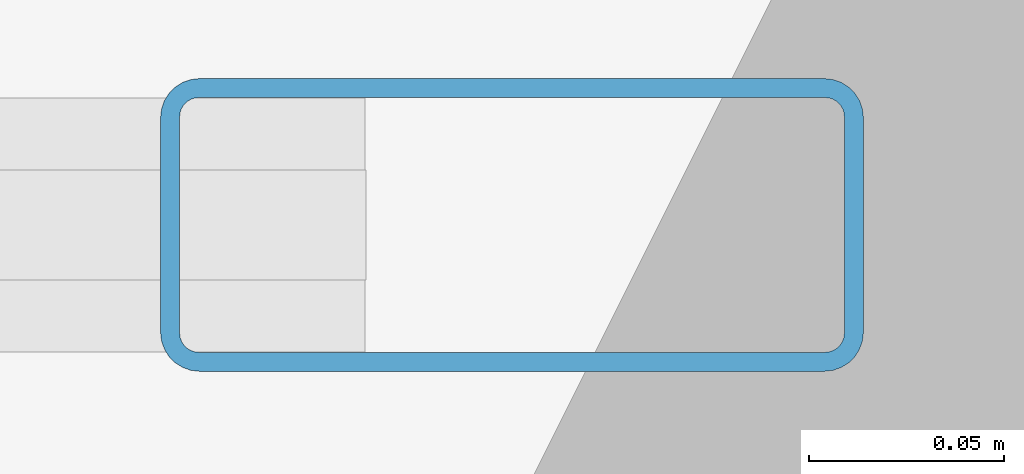
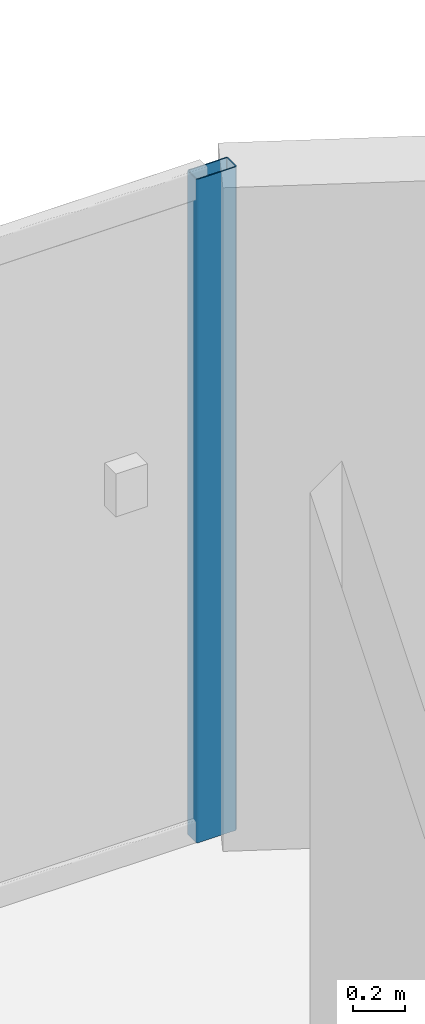
# One storey, part 8 of 19: 1 member, 1 element without a shape of its own.
"""IFC4 building model written with IfcOpenShell, lengths in metres."""

import ifcopenshell
import ifcopenshell.guid

model = None  # the IFC model being written
_history = None  # IfcOwnerHistory: only IFC2X3 demands one
_inside = {}  # id of a spatial element -> (the spatial element, [elements in it])
_under = {}  # id of a project, library or spatial element -> (it, [spatial elements below it])
_declared = {}  # id of a project -> (the project, [libraries it declares])
_typed = {}  # id of a type object -> (the type object, [elements of that type])
_made_of = {}  # id of a material, layer set ... -> (it, [elements and type objects made of it])


def new_model(schema):
    """Start an empty IFC model of exactly this schema.

    Asked for "IFC4X3", IfcOpenShell would pick the latest addendum, in which some entities
    have other attributes; the version numbers below select the first issue.
    IFC2X3 requires an IfcOwnerHistory on every rooted entity: one is made here for all.
    """
    global model, _history
    if schema == "IFC4X3":
        model = ifcopenshell.file(schema_version=(4, 3, 0, 0))
    else:
        model = ifcopenshell.file(schema=schema)
    _inside.clear()
    _under.clear()
    _declared.clear()
    _typed.clear()
    _made_of.clear()
    _history = None
    if model.schema == "IFC2X3":
        org = make("IfcOrganization", Name="unknown")
        user = make(
            "IfcPersonAndOrganization",
            ThePerson=make("IfcPerson", FamilyName="unknown"),
            TheOrganization=org,
        )
        app = make(
            "IfcApplication",
            ApplicationDeveloper=org,
            Version="unknown",
            ApplicationFullName="unknown",
            ApplicationIdentifier="unknown",
        )
        _history = make(
            "IfcOwnerHistory",
            OwningUser=user,
            OwningApplication=app,
            ChangeAction="ADDED",
            CreationDate=0,
        )
    return model


def make(cls, **values):
    """One entity of the class cls with the attributes given. An attribute that is None is left unset."""
    return model.create_entity(
        cls, **{name: value for name, value in values.items() if value is not None}
    )


def rooted(cls, **values):
    """An entity with a GlobalId (a new one), such as an element, a storey or a relation."""
    return make(cls, GlobalId=ifcopenshell.guid.new(), OwnerHistory=_history, **values)


def si_unit(unit_type, name, prefix=None):
    """IfcSIUnit, for example si_unit("LENGTHUNIT", "METRE", prefix="MILLI")."""
    return make("IfcSIUnit", UnitType=unit_type, Prefix=prefix, Name=name)


def assignment(units):
    """IfcUnitAssignment: the units of a project."""
    return None if units is None else make("IfcUnitAssignment", Units=units)


def point(xyz):
    """IfcCartesianPoint."""
    return None if xyz is None else make("IfcCartesianPoint", Coordinates=xyz)


def direction(xyz):
    """IfcDirection."""
    return None if xyz is None else make("IfcDirection", DirectionRatios=xyz)


def frame(location, z_axis=None, x_axis=None):
    """IfcAxis2Placement3D, a coordinate frame: its origin and axes. An axis left out is left unset."""
    return make(
        "IfcAxis2Placement3D",
        Location=point(location),
        Axis=direction(z_axis),
        RefDirection=direction(x_axis),
    )


def frame_2d(location, x_axis=None):
    """IfcAxis2Placement2D, a coordinate frame in the plane: its origin and x axis."""
    return make(
        "IfcAxis2Placement2D", Location=point(location), RefDirection=direction(x_axis)
    )


def origin():
    """The frame at (0, 0, 0) with its axes left unset."""
    return frame((0.0, 0.0, 0.0))


def origin_2d():
    """The frame at (0, 0) in the plane with its x axis left unset."""
    return frame_2d((0.0, 0.0))


def place(relative_to, where):
    """IfcLocalPlacement: puts the frame where relative to a parent placement (None: the world)."""
    return make(
        "IfcLocalPlacement", PlacementRelTo=relative_to, RelativePlacement=where
    )


def context(
    kind, dimensions, precision=None, world=None, true_north=None, identifier=None
):
    """IfcGeometricRepresentationContext, for example the 3D "Model" context."""
    return make(
        "IfcGeometricRepresentationContext",
        ContextIdentifier=identifier,
        ContextType=kind,
        CoordinateSpaceDimension=dimensions,
        Precision=precision,
        WorldCoordinateSystem=world,
        TrueNorth=true_north,
    )


def subcontext(parent, identifier, kind, view, scale=None):
    """IfcGeometricRepresentationSubContext, for example "Body" below "Model"."""
    return make(
        "IfcGeometricRepresentationSubContext",
        ContextIdentifier=identifier,
        ContextType=kind,
        ParentContext=parent,
        TargetScale=scale,
        TargetView=view,
    )


def project(units=None, contexts=None):
    """IfcProject with its units and contexts."""
    return rooted(
        "IfcProject",
        Name="project",
        RepresentationContexts=contexts,
        UnitsInContext=assignment(units),
    )


def spatial(cls, under=None, at=None, **own):
    """A site, building, storey or space (cls), placed at a placement, below another one or the project."""
    s = rooted(cls, ObjectPlacement=at, **own)
    if under is not None:
        _under.setdefault(under.id(), (under, []))[1].append(s)
    return s


def profile(cls, at=None, kind="AREA", **sizes):
    """A parametric profile (cls). Its sizes go by their IFC names, for example OverallWidth=200.0."""
    return make(cls, ProfileType=kind, Position=at, **sizes)


def hollow_rectangle(**sizes):
    """IfcRectangleHollowProfileDef."""
    return profile("IfcRectangleHollowProfileDef", **sizes)


def extrude(swept, where, along, depth):
    """IfcExtrudedAreaSolid: the profile swept, set in the frame where, extruded along a direction by depth."""
    return make(
        "IfcExtrudedAreaSolid",
        SweptArea=swept,
        Position=where,
        ExtrudedDirection=direction(along),
        Depth=depth,
    )


def shape(context_of_items, identifier, shape_type, items):
    """IfcShapeRepresentation: the items that make up one representation, for example the "Body"."""
    return make(
        "IfcShapeRepresentation",
        ContextOfItems=context_of_items,
        RepresentationIdentifier=identifier,
        RepresentationType=shape_type,
        Items=items,
    )


def material(Name=None, Category=None):
    """IfcMaterial."""
    return make("IfcMaterial", Name=Name, Category=Category)


def layer(
    of_material, thickness, ventilated=None, Name=None, Category=None, Priority=None
):
    """IfcMaterialLayer: one layer of a wall or slab, of a material (None: an air gap)."""
    return make(
        "IfcMaterialLayer",
        Material=of_material,
        LayerThickness=thickness,
        IsVentilated=ventilated,
        Name=Name,
        Category=Category,
        Priority=Priority,
    )


def layer_set(layers, Name=None):
    """IfcMaterialLayerSet."""
    return make("IfcMaterialLayerSet", MaterialLayers=layers, LayerSetName=Name)


def material_profile(
    of_material, cross_section, Name=None, Category=None, Priority=None
):
    """IfcMaterialProfile: a cross section and its material."""
    return make(
        "IfcMaterialProfile",
        Name=Name,
        Material=of_material,
        Profile=cross_section,
        Priority=Priority,
        Category=Category,
    )


def profile_set(profiles, Name=None, composite=None):
    """IfcMaterialProfileSet."""
    return make(
        "IfcMaterialProfileSet",
        Name=Name,
        MaterialProfiles=profiles,
        CompositeProfile=composite,
    )


def made_of(thing, what):
    """Note that an element or type object is made of a material, layer set ...; save() writes the relation."""
    if what is not None:
        _made_of.setdefault(what.id(), (what, []))[1].append(thing)
    return thing


def type_object(cls, material=None, **own):
    """A type object (cls), such as IfcWallType, which elements share."""
    return made_of(rooted(cls, **own), material)


def element(
    cls,
    number,
    at=None,
    inside=None,
    cuts=None,
    type_object=None,
    material=None,
    context=None,
    identifier="Body",
    shape_type=None,
    held_by="IfcProductDefinitionShape",
    body=None,
    shapes=None,
    **own,
):
    """One element of the class cls, such as IfcWall. Its Tag is "e" and its number.

    at: its placement. inside: the storey or other place that contains it. cuts: it is an
    opening in that element (IfcRelVoidsElement). A single representation is given by context,
    identifier, shape_type and body (its items); several are given by shapes. held_by: the class
    of the entity that holds the representations. save() writes the other relations.
    """
    e = rooted(cls, Tag="e%d" % number, ObjectPlacement=at, **own)
    if body is not None:
        shapes = [shape(context, identifier, shape_type, body)]
    if shapes is not None:
        e.Representation = make(held_by, Representations=shapes)
    if inside is not None:
        _inside.setdefault(inside.id(), (inside, []))[1].append(e)
    if cuts is not None:
        rooted(
            "IfcRelVoidsElement", RelatingBuildingElement=cuts, RelatedOpeningElement=e
        )
    if type_object is not None:
        _typed.setdefault(type_object.id(), (type_object, []))[1].append(e)
    return made_of(e, material)


def aggregate(whole, parts):
    """IfcRelAggregates: a whole, such as a stair, and the parts it consists of."""
    return rooted("IfcRelAggregates", RelatingObject=whole, RelatedObjects=parts)


def save(model, path):
    """Write the relations noted so far, then the file.

    IfcRelAggregates (storeys below a building ...), IfcRelContainedInSpatialStructure (elements
    in a storey), IfcRelDefinesByType, IfcRelAssociatesMaterial and IfcRelDeclares: one each for
    every whole, place, type object, material and project.
    """
    for whole, parts in _under.values():
        aggregate(whole, parts)
    for where, things in _inside.values():
        rooted(
            "IfcRelContainedInSpatialStructure",
            RelatedElements=things,
            RelatingStructure=where,
        )
    for kind, things in _typed.values():
        rooted("IfcRelDefinesByType", RelatedObjects=things, RelatingType=kind)
    for what, things in _made_of.values():
        rooted("IfcRelAssociatesMaterial", RelatedObjects=things, RelatingMaterial=what)
    for by, libraries in _declared.values():
        rooted("IfcRelDeclares", RelatingContext=by, RelatedDefinitions=libraries)
    model.write(path)


model = new_model("IFC4")

# Units and contexts
model_context = context("Model", 3, precision=1e-05, world=origin(), true_north=direction((0.0, 1.0)))
body_context = subcontext(model_context, "Body", "Model", "MODEL_VIEW")
ifc_project = project(units=[si_unit("LENGTHUNIT", "METRE"), si_unit("AREAUNIT", "SQUARE_METRE"), si_unit("VOLUMEUNIT", "CUBIC_METRE"), si_unit("PLANEANGLEUNIT", "RADIAN"), si_unit("MASSUNIT", "GRAM", prefix="KILO")], contexts=[model_context])

# Site, building, storey
site_placement = place(None, origin())
site = spatial("IfcSite", under=ifc_project, at=site_placement, CompositionType="ELEMENT")
building_placement = place(site_placement, origin())
building = spatial("IfcBuilding", under=site, at=building_placement, Name="Tarnavaz Court Tower", CompositionType="ELEMENT")
storey_placement = place(building_placement, frame((0.0, 0.0, 50.800048828125)))
storey = spatial("IfcBuildingStorey", under=building, at=storey_placement, Name="L13", CompositionType="ELEMENT", Elevation=50.800048828125)

# Curtain wall, member
ifc_material_1 = material(Name="Anodised Aluminium 6063-T6 and Solar Low-E Glazing", Category="aluminium")
ifc_layer = layer(ifc_material_1, 0.179931640625)
ifc_layer_set = layer_set([ifc_layer], Name="Anodised Aluminium 6063-T6 and Solar Low-E Glazing")
curtain_wall_type = type_object("IfcCurtainWallType", Name="CW-SYS-02", PredefinedType="NOTDEFINED", material=ifc_layer_set)
curtain_wall_placement = place(storey_placement, origin())
curtain_wall = element("IfcCurtainWall", 1, at=curtain_wall_placement, inside=storey, type_object=curtain_wall_type, Name="L13 Iwan Prow Curtain Wall 7", PredefinedType="NOTDEFINED")
ifc_material_2 = material(Name="Anodised Aluminium 6063-T6", Category="aluminium")
ifc_material_profile = material_profile(ifc_material_2, hollow_rectangle(XDim=0.074951171875, YDim=0.179931640625, WallThickness=0.0048828125, InnerFilletRadius=0.0048828125, OuterFilletRadius=0.010009765625, at=origin_2d()), Name="ALU RHS 180X75X5")
ifc_profile_set = profile_set([ifc_material_profile], Name="Anodised Aluminium 6063-T6")
member_type = type_object("IfcMemberType", Name="CW-MUL-180", PredefinedType="MULLION", material=ifc_profile_set)
member_placement = place(storey_placement, frame((4.3125, 25.050048828125, 0.0), z_axis=(0.0, 0.0, 1.0), x_axis=(0.0, 1.0, 0.0)))
member = element("IfcMember", 2, at=member_placement, type_object=member_type, Name="CW mullion 4", PredefinedType="MULLION", context=body_context, shape_type="SweptSolid", body=[
    extrude(hollow_rectangle(XDim=0.074951171875, YDim=0.179931640625, WallThickness=0.0048828125, InnerFilletRadius=0.0048828125, OuterFilletRadius=0.010009765625, at=origin_2d()), origin(), (0.0, 0.0, 1.0), 3.099853515625),
])
aggregate(curtain_wall, [member])

save(model, "model.ifc")
